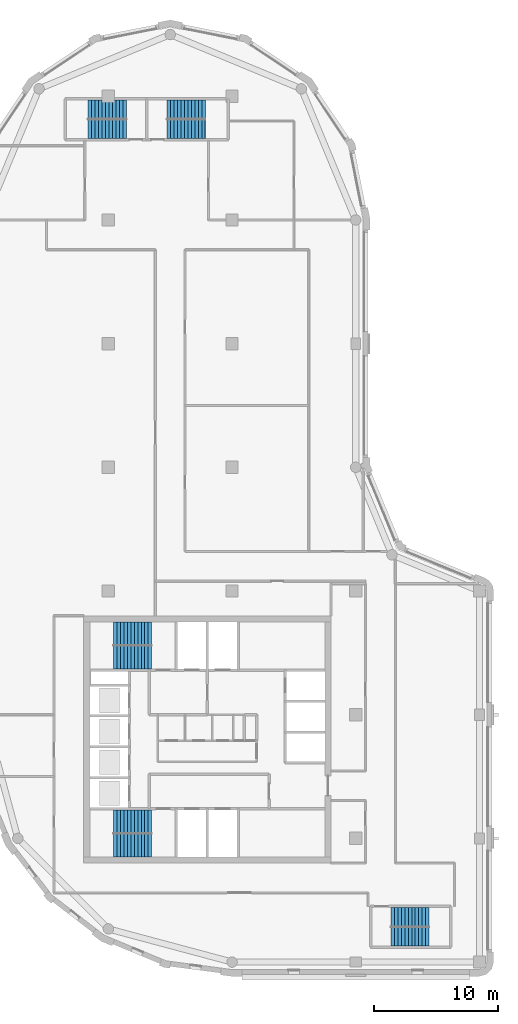
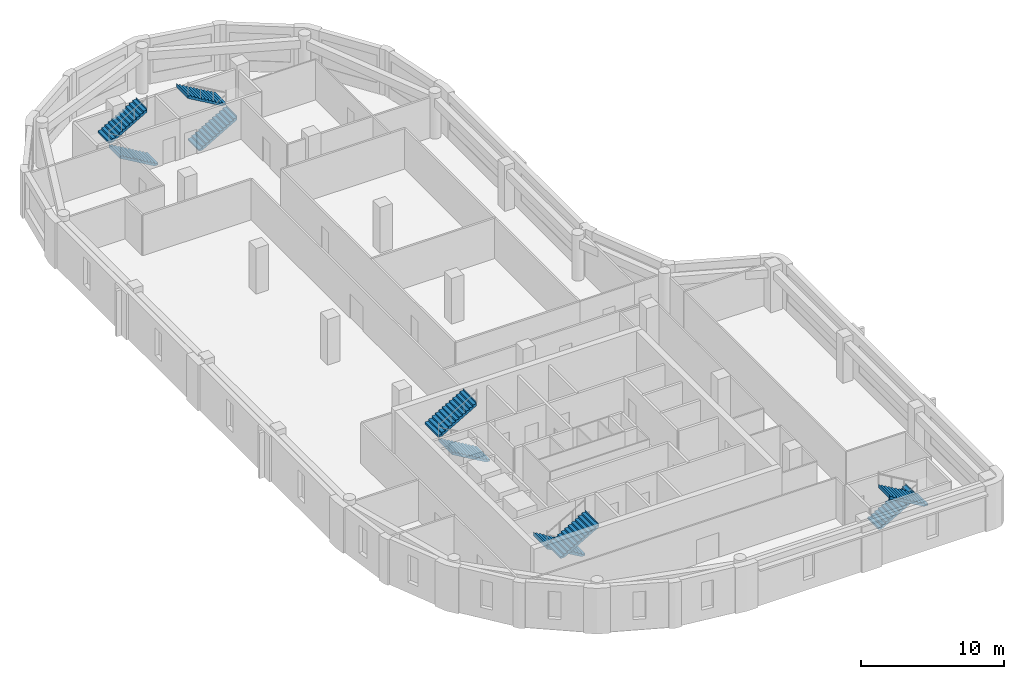
# One storey, part 6 of 8: 10 stair flights, 5 elements without a shape of their own.
"""IFC4 building model written with IfcOpenShell, lengths in metres."""

from ifc_helpers import new_model, si_unit, direction, frame, origin, place, context, subcontext, project, spatial, polyline, outline, extrude, material, type_object, element, aggregate, save


model = new_model("IFC4")

# Units and contexts
model_context = context("Model", 3, precision=1e-05, world=origin(), true_north=direction((0.0, 1.0)))
body_context = subcontext(model_context, "Body", "Model", "MODEL_VIEW")
ifc_project = project(units=[si_unit("LENGTHUNIT", "METRE"), si_unit("AREAUNIT", "SQUARE_METRE"), si_unit("VOLUMEUNIT", "CUBIC_METRE"), si_unit("PLANEANGLEUNIT", "RADIAN"), si_unit("MASSUNIT", "GRAM", prefix="KILO")], contexts=[model_context])

# Site, building, storey
site_placement = place(None, origin())
site = spatial("IfcSite", under=ifc_project, at=site_placement, CompositionType="ELEMENT")
building_placement = place(site_placement, origin())
building = spatial("IfcBuilding", under=site, at=building_placement, Name="Qaws Garden Tower", CompositionType="ELEMENT")
storey_placement = place(building_placement, frame((0.0, 0.0, 348.89990234375)))
storey = spatial("IfcBuildingStorey", under=building, at=storey_placement, Name="L85", CompositionType="ELEMENT", Elevation=348.89990234375)

# Stair, stair flights
ifc_material_1 = material(Name="Concrete C40", Category="concrete")
stair_type_1 = type_object("IfcStairType", Name="Exit stair 1350", PredefinedType="HALF_TURN_STAIR", material=ifc_material_1)
placement = place(storey_placement, origin())
stair_1 = element("IfcStair", 1, at=placement, inside=storey, type_object=stair_type_1, Name="Stair 5", PredefinedType="HALF_TURN_STAIR")
ifc_material_2 = material(Name="Concrete C40", Category="concrete")
stair_flight_type_1 = type_object("IfcStairFlightType", Name="Stair flight 1350", PredefinedType="STRAIGHT", material=ifc_material_2)
stair_flight_1_placement = place(storey_placement, frame((32.85009765625, 3.625, 0.0), z_axis=(0.0, 0.0, 1.0), x_axis=(1.0, 0.0, 0.0)))
stair_flight_1 = element("IfcStairFlight", 2, at=stair_flight_1_placement, type_object=stair_flight_type_1, Name="ST5 flight 1", NumberOfRisers=12, NumberOfTreads=11, PredefinedType="STRAIGHT", RiserHeight=0.1625, TreadLength=0.28, context=body_context, shape_type="SweptSolid", body=[
    extrude(outline(polyline([(-0.0029296875, 0.0), (-0.0029296875, 0.16259765625), (0.0, 0.16259765625), (0.280029296875, 0.16259765625), (0.280029296875, 0.324951171875), (0.56005859375, 0.324951171875), (0.56005859375, 0.487548828125), (0.840087890625, 0.487548828125), (0.840087890625, 0.64990234375), (1.1201171875, 0.64990234375), (1.1201171875, 0.8125), (1.39990234375, 0.8125), (1.39990234375, 0.97509765625), (1.679931640625, 0.97509765625), (1.679931640625, 1.137451171875), (1.9599609375, 1.137451171875), (1.9599609375, 1.300048828125), (2.239990234375, 1.300048828125), (2.239990234375, 1.46240234375), (2.52001953125, 1.46240234375), (2.52001953125, 1.625), (2.800048828125, 1.625), (2.800048828125, 1.78759765625), (3.080078125, 1.78759765625), (3.080078125, 1.949951171875), (3.0830078125, 1.949951171875), (3.0830078125, 1.6142578125), (3.080078125, 1.6142578125), (0.298583984375, 0.0), (-0.0029296875, 0.0)])), frame((0.0, 0.77490234375, 0.0), z_axis=(0.0, -1.0, 0.0), x_axis=(1.0, 0.0, 0.0)), (0.0, 0.0, 1.0), 1.550048828125),
])
stair_flight_2_placement = place(storey_placement, frame((35.929931640625, 2.074951171875, 1.9501953125), z_axis=(0.0, 0.0, 1.0), x_axis=(-1.0, 0.0, 0.0)))
stair_flight_2 = element("IfcStairFlight", 3, at=stair_flight_2_placement, type_object=stair_flight_type_1, Name="ST5 flight 2", NumberOfRisers=12, NumberOfTreads=11, PredefinedType="STRAIGHT", RiserHeight=0.1625, TreadLength=0.28, context=body_context, shape_type="SweptSolid", body=[
    extrude(outline(polyline([(-0.0029296875, 0.0), (-0.0029296875, 0.16259765625), (0.0, 0.16259765625), (0.280029296875, 0.16259765625), (0.280029296875, 0.324951171875), (0.56005859375, 0.324951171875), (0.56005859375, 0.487548828125), (0.840087890625, 0.487548828125), (0.840087890625, 0.64990234375), (1.1201171875, 0.64990234375), (1.1201171875, 0.8125), (1.39990234375, 0.8125), (1.39990234375, 0.97509765625), (1.679931640625, 0.97509765625), (1.679931640625, 1.137451171875), (1.9599609375, 1.137451171875), (1.9599609375, 1.300048828125), (2.239990234375, 1.300048828125), (2.239990234375, 1.46240234375), (2.52001953125, 1.46240234375), (2.52001953125, 1.625), (2.800048828125, 1.625), (2.800048828125, 1.78759765625), (3.080078125, 1.78759765625), (3.080078125, 1.949951171875), (3.0830078125, 1.949951171875), (3.0830078125, 1.6142578125), (3.080078125, 1.6142578125), (0.298583984375, 0.0), (-0.0029296875, 0.0)])), frame((0.0, 0.77490234375, 0.0), z_axis=(0.0, -1.0, 0.0), x_axis=(1.0, 0.0, 0.0)), (0.0, 0.0, 1.0), 1.550048828125),
])
aggregate(stair_1, [stair_flight_1, stair_flight_2])

stair_2 = element("IfcStair", 4, at=placement, inside=storey, type_object=stair_type_1, Name="Stair 6", PredefinedType="HALF_TURN_STAIR")
stair_flight_3_placement = place(storey_placement, frame((11.449951171875, 67.375, 0.0), z_axis=(0.0, 0.0, 1.0), x_axis=(-1.0, 0.0, 0.0)))
stair_flight_3 = element("IfcStairFlight", 5, at=stair_flight_3_placement, type_object=stair_flight_type_1, Name="ST6 flight 1", NumberOfRisers=12, NumberOfTreads=11, PredefinedType="STRAIGHT", RiserHeight=0.1625, TreadLength=0.28, context=body_context, shape_type="SweptSolid", body=[
    extrude(outline(polyline([(-0.0029296875, 0.0), (-0.0029296875, 0.16259765625), (0.0, 0.16259765625), (0.280029296875, 0.16259765625), (0.280029296875, 0.324951171875), (0.56005859375, 0.324951171875), (0.56005859375, 0.487548828125), (0.840087890625, 0.487548828125), (0.840087890625, 0.64990234375), (1.1201171875, 0.64990234375), (1.1201171875, 0.8125), (1.39990234375, 0.8125), (1.39990234375, 0.97509765625), (1.679931640625, 0.97509765625), (1.679931640625, 1.137451171875), (1.9599609375, 1.137451171875), (1.9599609375, 1.300048828125), (2.239990234375, 1.300048828125), (2.239990234375, 1.46240234375), (2.52001953125, 1.46240234375), (2.52001953125, 1.625), (2.800048828125, 1.625), (2.800048828125, 1.78759765625), (3.080078125, 1.78759765625), (3.080078125, 1.949951171875), (3.0830078125, 1.949951171875), (3.0830078125, 1.6142578125), (3.080078125, 1.6142578125), (0.298583984375, 0.0), (-0.0029296875, 0.0)])), frame((0.0, 0.77490234375, 0.0), z_axis=(0.0, -1.0, 0.0), x_axis=(1.0, 0.0, 0.0)), (0.0, 0.0, 1.0), 1.550048828125),
])
stair_flight_4_placement = place(storey_placement, frame((8.3701171875, 68.925048828125, 1.9501953125), z_axis=(0.0, 0.0, 1.0), x_axis=(1.0, 0.0, 0.0)))
stair_flight_4 = element("IfcStairFlight", 6, at=stair_flight_4_placement, type_object=stair_flight_type_1, Name="ST6 flight 2", NumberOfRisers=12, NumberOfTreads=11, PredefinedType="STRAIGHT", RiserHeight=0.1625, TreadLength=0.28, context=body_context, shape_type="SweptSolid", body=[
    extrude(outline(polyline([(-0.0029296875, 0.0), (-0.0029296875, 0.16259765625), (0.0, 0.16259765625), (0.280029296875, 0.16259765625), (0.280029296875, 0.324951171875), (0.56005859375, 0.324951171875), (0.56005859375, 0.487548828125), (0.840087890625, 0.487548828125), (0.840087890625, 0.64990234375), (1.1201171875, 0.64990234375), (1.1201171875, 0.8125), (1.39990234375, 0.8125), (1.39990234375, 0.97509765625), (1.679931640625, 0.97509765625), (1.679931640625, 1.137451171875), (1.9599609375, 1.137451171875), (1.9599609375, 1.300048828125), (2.239990234375, 1.300048828125), (2.239990234375, 1.46240234375), (2.52001953125, 1.46240234375), (2.52001953125, 1.625), (2.800048828125, 1.625), (2.800048828125, 1.78759765625), (3.080078125, 1.78759765625), (3.080078125, 1.949951171875), (3.0830078125, 1.949951171875), (3.0830078125, 1.6142578125), (3.080078125, 1.6142578125), (0.298583984375, 0.0), (-0.0029296875, 0.0)])), frame((0.0, 0.77490234375, 0.0), z_axis=(0.0, -1.0, 0.0), x_axis=(1.0, 0.0, 0.0)), (0.0, 0.0, 1.0), 1.550048828125),
])
aggregate(stair_2, [stair_flight_3, stair_flight_4])

stair_3 = element("IfcStair", 7, at=placement, inside=storey, type_object=stair_type_1, Name="Stair 7", PredefinedType="HALF_TURN_STAIR")
stair_flight_5_placement = place(storey_placement, frame((14.75, 67.375, 0.0), z_axis=(0.0, 0.0, 1.0), x_axis=(1.0, 0.0, 0.0)))
stair_flight_5 = element("IfcStairFlight", 8, at=stair_flight_5_placement, type_object=stair_flight_type_1, Name="ST7 flight 1", NumberOfRisers=12, NumberOfTreads=11, PredefinedType="STRAIGHT", RiserHeight=0.1625, TreadLength=0.28, context=body_context, shape_type="SweptSolid", body=[
    extrude(outline(polyline([(-0.0029296875, 0.0), (-0.0029296875, 0.16259765625), (0.0, 0.16259765625), (0.280029296875, 0.16259765625), (0.280029296875, 0.324951171875), (0.56005859375, 0.324951171875), (0.56005859375, 0.487548828125), (0.840087890625, 0.487548828125), (0.840087890625, 0.64990234375), (1.1201171875, 0.64990234375), (1.1201171875, 0.8125), (1.39990234375, 0.8125), (1.39990234375, 0.97509765625), (1.679931640625, 0.97509765625), (1.679931640625, 1.137451171875), (1.9599609375, 1.137451171875), (1.9599609375, 1.300048828125), (2.239990234375, 1.300048828125), (2.239990234375, 1.46240234375), (2.52001953125, 1.46240234375), (2.52001953125, 1.625), (2.800048828125, 1.625), (2.800048828125, 1.78759765625), (3.080078125, 1.78759765625), (3.080078125, 1.949951171875), (3.0830078125, 1.949951171875), (3.0830078125, 1.6142578125), (3.080078125, 1.6142578125), (0.298583984375, 0.0), (-0.0029296875, 0.0)])), frame((0.0, 0.77490234375, 0.0), z_axis=(0.0, -1.0, 0.0), x_axis=(1.0, 0.0, 0.0)), (0.0, 0.0, 1.0), 1.550048828125),
])
stair_flight_6_placement = place(storey_placement, frame((17.830078125, 68.925048828125, 1.9501953125), z_axis=(0.0, 0.0, 1.0), x_axis=(-1.0, 0.0, 0.0)))
stair_flight_6 = element("IfcStairFlight", 9, at=stair_flight_6_placement, type_object=stair_flight_type_1, Name="ST7 flight 2", NumberOfRisers=12, NumberOfTreads=11, PredefinedType="STRAIGHT", RiserHeight=0.1625, TreadLength=0.28, context=body_context, shape_type="SweptSolid", body=[
    extrude(outline(polyline([(-0.0029296875, 0.0), (-0.0029296875, 0.16259765625), (0.0, 0.16259765625), (0.280029296875, 0.16259765625), (0.280029296875, 0.324951171875), (0.56005859375, 0.324951171875), (0.56005859375, 0.487548828125), (0.840087890625, 0.487548828125), (0.840087890625, 0.64990234375), (1.1201171875, 0.64990234375), (1.1201171875, 0.8125), (1.39990234375, 0.8125), (1.39990234375, 0.97509765625), (1.679931640625, 0.97509765625), (1.679931640625, 1.137451171875), (1.9599609375, 1.137451171875), (1.9599609375, 1.300048828125), (2.239990234375, 1.300048828125), (2.239990234375, 1.46240234375), (2.52001953125, 1.46240234375), (2.52001953125, 1.625), (2.800048828125, 1.625), (2.800048828125, 1.78759765625), (3.080078125, 1.78759765625), (3.080078125, 1.949951171875), (3.0830078125, 1.949951171875), (3.0830078125, 1.6142578125), (3.080078125, 1.6142578125), (0.298583984375, 0.0), (-0.0029296875, 0.0)])), frame((0.0, 0.77490234375, 0.0), z_axis=(0.0, -1.0, 0.0), x_axis=(1.0, 0.0, 0.0)), (0.0, 0.0, 1.0), 1.550048828125),
])
aggregate(stair_3, [stair_flight_5, stair_flight_6])

ifc_material_3 = material(Name="Concrete C40", Category="concrete")
stair_type_2 = type_object("IfcStairType", Name="Exit stair 1500", PredefinedType="HALF_TURN_STAIR", material=ifc_material_3)
stair_4 = element("IfcStair", 10, at=placement, inside=storey, type_object=stair_type_2, Name="Stair 1", PredefinedType="HALF_TURN_STAIR")
ifc_material_4 = material(Name="Concrete C40", Category="concrete")
stair_flight_type_2 = type_object("IfcStairFlightType", Name="Stair flight 1500", PredefinedType="STRAIGHT", material=ifc_material_4)
stair_flight_7_placement = place(storey_placement, frame((13.5, 11.35009765625, 0.0), z_axis=(0.0, 0.0, 1.0), x_axis=(-1.0, 0.0, 0.0)))
stair_flight_7 = element("IfcStairFlight", 11, at=stair_flight_7_placement, type_object=stair_flight_type_2, Name="ST1 flight 1", NumberOfRisers=12, NumberOfTreads=11, PredefinedType="STRAIGHT", RiserHeight=0.1625, TreadLength=0.28, context=body_context, shape_type="SweptSolid", body=[
    extrude(outline(polyline([(-0.0029296875, 0.0), (-0.0029296875, 0.16259765625), (0.0, 0.16259765625), (0.280029296875, 0.16259765625), (0.280029296875, 0.324951171875), (0.56005859375, 0.324951171875), (0.56005859375, 0.487548828125), (0.840087890625, 0.487548828125), (0.840087890625, 0.64990234375), (1.1201171875, 0.64990234375), (1.1201171875, 0.8125), (1.39990234375, 0.8125), (1.39990234375, 0.97509765625), (1.679931640625, 0.97509765625), (1.679931640625, 1.137451171875), (1.9599609375, 1.137451171875), (1.9599609375, 1.300048828125), (2.239990234375, 1.300048828125), (2.239990234375, 1.46240234375), (2.52001953125, 1.46240234375), (2.52001953125, 1.625), (2.800048828125, 1.625), (2.800048828125, 1.78759765625), (3.080078125, 1.78759765625), (3.080078125, 1.949951171875), (3.0830078125, 1.949951171875), (3.0830078125, 1.6142578125), (3.080078125, 1.6142578125), (0.298583984375, 0.0), (-0.0029296875, 0.0)])), frame((0.0, 0.949951171875, 0.0), z_axis=(0.0, -1.0, 0.0), x_axis=(1.0, 0.0, 0.0)), (0.0, 0.0, 1.0), 1.89990234375),
])
stair_flight_8_placement = place(storey_placement, frame((10.419921875, 9.449951171875, 1.9501953125), z_axis=(0.0, 0.0, 1.0), x_axis=(1.0, 0.0, 0.0)))
stair_flight_8 = element("IfcStairFlight", 12, at=stair_flight_8_placement, type_object=stair_flight_type_2, Name="ST1 flight 2", NumberOfRisers=12, NumberOfTreads=11, PredefinedType="STRAIGHT", RiserHeight=0.1625, TreadLength=0.28, context=body_context, shape_type="SweptSolid", body=[
    extrude(outline(polyline([(-0.0029296875, 0.0), (-0.0029296875, 0.16259765625), (0.0, 0.16259765625), (0.280029296875, 0.16259765625), (0.280029296875, 0.324951171875), (0.56005859375, 0.324951171875), (0.56005859375, 0.487548828125), (0.840087890625, 0.487548828125), (0.840087890625, 0.64990234375), (1.1201171875, 0.64990234375), (1.1201171875, 0.8125), (1.39990234375, 0.8125), (1.39990234375, 0.97509765625), (1.679931640625, 0.97509765625), (1.679931640625, 1.137451171875), (1.9599609375, 1.137451171875), (1.9599609375, 1.300048828125), (2.239990234375, 1.300048828125), (2.239990234375, 1.46240234375), (2.52001953125, 1.46240234375), (2.52001953125, 1.625), (2.800048828125, 1.625), (2.800048828125, 1.78759765625), (3.080078125, 1.78759765625), (3.080078125, 1.949951171875), (3.0830078125, 1.949951171875), (3.0830078125, 1.6142578125), (3.080078125, 1.6142578125), (0.298583984375, 0.0), (-0.0029296875, 0.0)])), frame((0.0, 0.949951171875, 0.0), z_axis=(0.0, -1.0, 0.0), x_axis=(1.0, 0.0, 0.0)), (0.0, 0.0, 1.0), 1.89990234375),
])
aggregate(stair_4, [stair_flight_7, stair_flight_8])

stair_5 = element("IfcStair", 13, at=placement, inside=storey, type_object=stair_type_2, Name="Stair 4", PredefinedType="HALF_TURN_STAIR")
stair_flight_9_placement = place(storey_placement, frame((13.5, 24.64990234375, 0.0), z_axis=(0.0, 0.0, 1.0), x_axis=(-1.0, 0.0, 0.0)))
stair_flight_9 = element("IfcStairFlight", 14, at=stair_flight_9_placement, type_object=stair_flight_type_2, Name="ST4 flight 1", NumberOfRisers=12, NumberOfTreads=11, PredefinedType="STRAIGHT", RiserHeight=0.1625, TreadLength=0.28, context=body_context, shape_type="SweptSolid", body=[
    extrude(outline(polyline([(-0.0029296875, 0.0), (-0.0029296875, 0.16259765625), (0.0, 0.16259765625), (0.280029296875, 0.16259765625), (0.280029296875, 0.324951171875), (0.56005859375, 0.324951171875), (0.56005859375, 0.487548828125), (0.840087890625, 0.487548828125), (0.840087890625, 0.64990234375), (1.1201171875, 0.64990234375), (1.1201171875, 0.8125), (1.39990234375, 0.8125), (1.39990234375, 0.97509765625), (1.679931640625, 0.97509765625), (1.679931640625, 1.137451171875), (1.9599609375, 1.137451171875), (1.9599609375, 1.300048828125), (2.239990234375, 1.300048828125), (2.239990234375, 1.46240234375), (2.52001953125, 1.46240234375), (2.52001953125, 1.625), (2.800048828125, 1.625), (2.800048828125, 1.78759765625), (3.080078125, 1.78759765625), (3.080078125, 1.949951171875), (3.0830078125, 1.949951171875), (3.0830078125, 1.6142578125), (3.080078125, 1.6142578125), (0.298583984375, 0.0), (-0.0029296875, 0.0)])), frame((0.0, 0.94482421875, 0.0), z_axis=(0.0, -1.0, 0.0), x_axis=(1.0, 0.0, 0.0)), (0.0, 0.0, 1.0), 1.889892578125),
])
stair_flight_10_placement = place(storey_placement, frame((10.419921875, 26.550048828125, 1.9501953125), z_axis=(0.0, 0.0, 1.0), x_axis=(1.0, 0.0, 0.0)))
stair_flight_10 = element("IfcStairFlight", 15, at=stair_flight_10_placement, type_object=stair_flight_type_2, Name="ST4 flight 2", NumberOfRisers=12, NumberOfTreads=11, PredefinedType="STRAIGHT", RiserHeight=0.1625, TreadLength=0.28, context=body_context, shape_type="SweptSolid", body=[
    extrude(outline(polyline([(-0.0029296875, 0.0), (-0.0029296875, 0.16259765625), (0.0, 0.16259765625), (0.280029296875, 0.16259765625), (0.280029296875, 0.324951171875), (0.56005859375, 0.324951171875), (0.56005859375, 0.487548828125), (0.840087890625, 0.487548828125), (0.840087890625, 0.64990234375), (1.1201171875, 0.64990234375), (1.1201171875, 0.8125), (1.39990234375, 0.8125), (1.39990234375, 0.97509765625), (1.679931640625, 0.97509765625), (1.679931640625, 1.137451171875), (1.9599609375, 1.137451171875), (1.9599609375, 1.300048828125), (2.239990234375, 1.300048828125), (2.239990234375, 1.46240234375), (2.52001953125, 1.46240234375), (2.52001953125, 1.625), (2.800048828125, 1.625), (2.800048828125, 1.78759765625), (3.080078125, 1.78759765625), (3.080078125, 1.949951171875), (3.0830078125, 1.949951171875), (3.0830078125, 1.6142578125), (3.080078125, 1.6142578125), (0.298583984375, 0.0), (-0.0029296875, 0.0)])), frame((0.0, 0.94482421875, 0.0), z_axis=(0.0, -1.0, 0.0), x_axis=(1.0, 0.0, 0.0)), (0.0, 0.0, 1.0), 1.889892578125),
])
aggregate(stair_5, [stair_flight_9, stair_flight_10])

save(model, "model.ifc")
